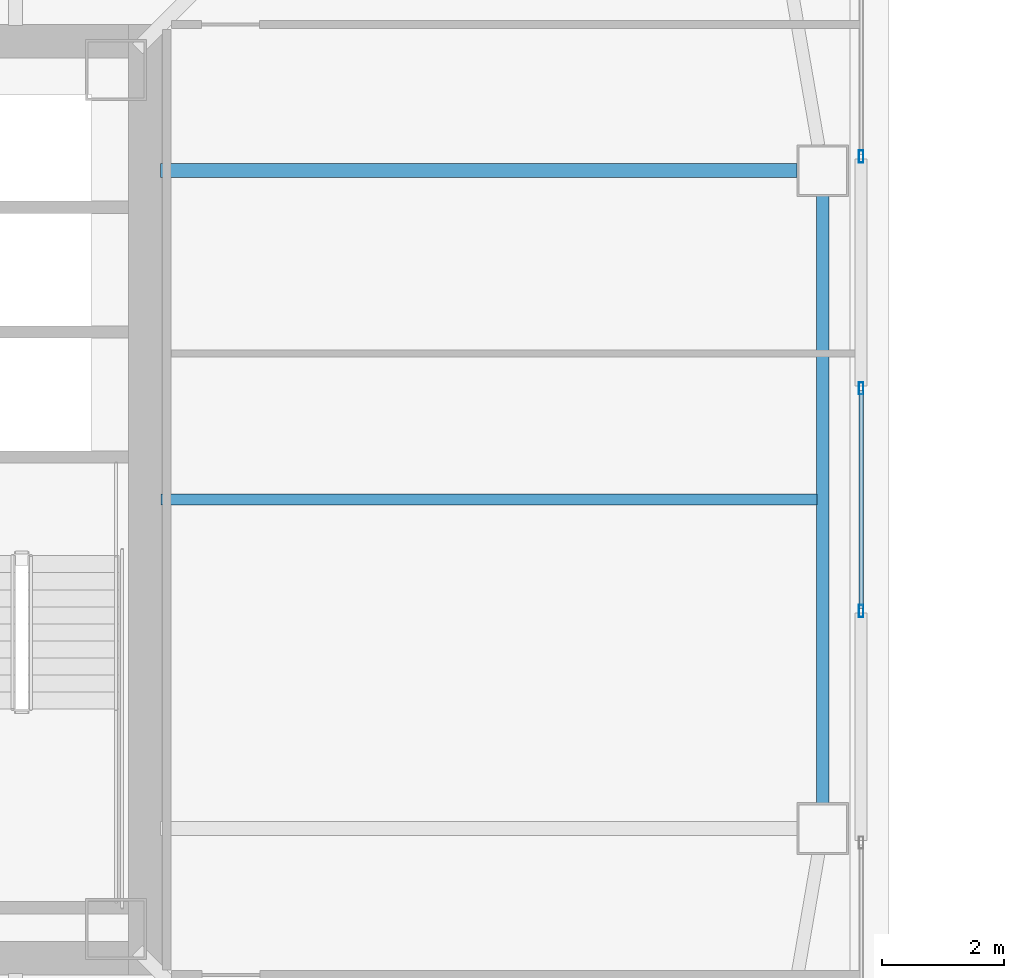
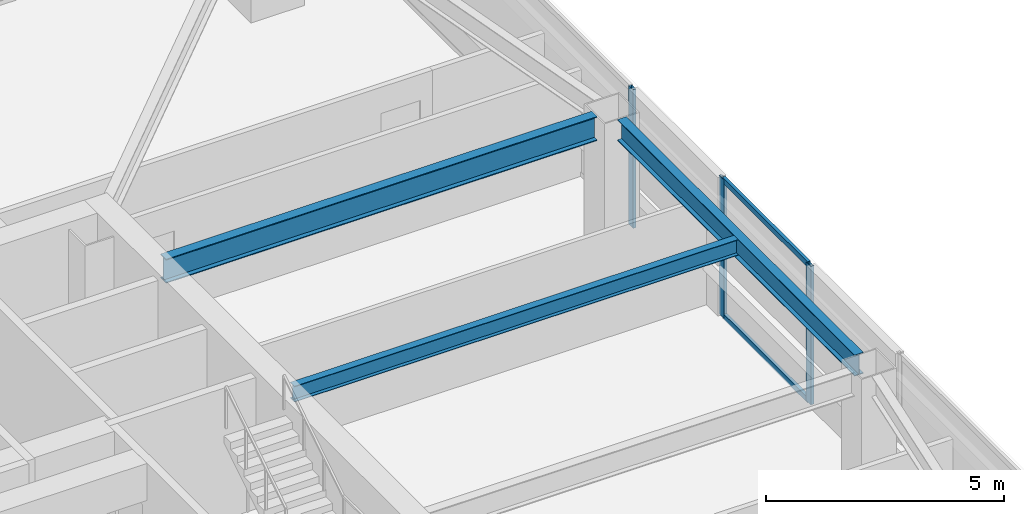
# One storey, part 10 of 42: 5 members, 3 beams, 2 elements without a shape of their own.
"""IFC4 building model written with IfcOpenShell, lengths in metres."""

from ifc_helpers import new_model, si_unit, direction, frame, origin, origin_2d, place, context, subcontext, project, spatial, hollow_rectangle, i_section, extrude, material, material_profile, profile_set, type_object, element, aggregate, save


model = new_model("IFC4")

# Units and contexts
model_context = context("Model", 3, precision=1e-05, world=origin(), true_north=direction((0.0, 1.0)))
body_context = subcontext(model_context, "Body", "Model", "MODEL_VIEW")
ifc_project = project(units=[si_unit("LENGTHUNIT", "METRE"), si_unit("AREAUNIT", "SQUARE_METRE"), si_unit("VOLUMEUNIT", "CUBIC_METRE"), si_unit("PLANEANGLEUNIT", "RADIAN"), si_unit("MASSUNIT", "GRAM", prefix="KILO")], contexts=[model_context])

# Site, building, storey
site_placement = place(None, origin())
site = spatial("IfcSite", under=ifc_project, at=site_placement, CompositionType="ELEMENT")
building_placement = place(site_placement, origin())
building = spatial("IfcBuilding", under=site, at=building_placement, Name="Tashvorn Skyway Center", CompositionType="ELEMENT")
storey_placement = place(building_placement, frame((0.0, 0.0, 121.5)))
storey = spatial("IfcBuildingStorey", under=building, at=storey_placement, Name="L32", CompositionType="ELEMENT", Elevation=121.5)

# Beams
ifc_material_1 = material(Name="Steel ASTM A992 Grade 50", Category="steel")
ifc_material_profile_1 = material_profile(ifc_material_1, i_section(OverallWidth=0.22998046875, OverallDepth=0.616943359375, WebThickness=0.01318359375, FlangeThickness=0.022216796875, at=origin_2d()), Name="W24X94")
ifc_profile_set_1 = profile_set([ifc_material_profile_1], Name="Steel ASTM A992 Grade 50")
beam_type_1 = type_object("IfcBeamType", Name="BM-BEAM-W24X94", PredefinedType="BEAM", material=ifc_profile_set_1)
beam_1_placement = place(storey_placement, frame((60.22998046875, 37.39990234375, 3.0615234375), z_axis=(-1.0, 0.0, 0.0), x_axis=(0.0, -1.0, 0.0)))
element("IfcBeam", 1, at=beam_1_placement, inside=storey, type_object=beam_type_1, Name="Tower 1 L32 Primary Floor Girder FC-E2", PredefinedType="BEAM", context=body_context, shape_type="SweptSolid", body=[
    extrude(i_section(OverallWidth=0.22998046875, OverallDepth=0.616943359375, WebThickness=0.01318359375, FlangeThickness=0.022216796875, at=origin_2d()), origin(), (0.0, 0.0, 1.0), 10.449951171875),
])
ifc_material_profile_2 = material_profile(ifc_material_1, i_section(OverallWidth=0.177978515625, OverallDepth=0.406005859375, WebThickness=0.0078125, FlangeThickness=0.0126953125, at=origin_2d()), Name="W16X40")
ifc_profile_set_2 = profile_set([ifc_material_profile_2], Name="Steel ASTM A992 Grade 50")
beam_type_2 = type_object("IfcBeamType", Name="BM-JOIST-W16X40", PredefinedType="JOIST", material=ifc_profile_set_2)
beam_2_placement = place(storey_placement, frame((49.7900390625, 32.0, 3.1669921875), z_axis=(1.0, 0.0, 0.0), x_axis=(0.0, 1.0, 0.0)))
element("IfcBeam", 2, at=beam_2_placement, inside=storey, type_object=beam_type_2, Name="Tower 1 L32 Secondary Composite Joist JE", PredefinedType="JOIST", context=body_context, shape_type="SweptSolid", body=[
    extrude(i_section(OverallWidth=0.177978515625, OverallDepth=0.406005859375, WebThickness=0.0078125, FlangeThickness=0.0126953125, at=origin_2d()), origin(), (0.0, 0.0, 1.0), 10.762451171875),
])
ifc_material_profile_3 = material_profile(ifc_material_1, i_section(OverallWidth=0.2109375, OverallDepth=0.5390625, WebThickness=0.01171875, FlangeThickness=0.018798828125, at=origin_2d()), Name="W21X73")
ifc_profile_set_3 = profile_set([ifc_material_profile_3], Name="Steel ASTM A992 Grade 50")
beam_type_3 = type_object("IfcBeamType", Name="BM-SPANDREL-W21X73", PredefinedType="SPANDREL", material=ifc_profile_set_3)
beam_3_placement = place(storey_placement, frame((60.64990234375, 27.02001953125, 3.1005859375), z_axis=(0.0, 1.0, 0.0), x_axis=(-1.0, 0.0, 0.0)))
element("IfcBeam", 3, at=beam_3_placement, inside=storey, type_object=beam_type_3, Name="Tower 1 L32 Spandrel Beam 05", PredefinedType="SPANDREL", context=body_context, shape_type="SweptSolid", body=[
    extrude(i_section(OverallWidth=0.2109375, OverallDepth=0.5390625, WebThickness=0.01171875, FlangeThickness=0.018798828125, at=origin_2d()), origin(), (0.0, 0.0, 1.0), 9.9599609375),
])

# Curtain wall, member
ifc_material_2 = material(Name="Thermally broken bronze-anodized aluminium 6063-T6", Category="aluminium")
curtain_wall_type = type_object("IfcCurtainWallType", Name="CW-CW-Z3", PredefinedType="NOTDEFINED", material=ifc_material_2)
curtain_wall_1_placement = place(storey_placement, origin())
curtain_wall_1 = element("IfcCurtainWall", 4, at=curtain_wall_1_placement, inside=storey, type_object=curtain_wall_type, Name="Tower 1 L32 East Unitised Curtain Wall Glazing Group 1", PredefinedType="NOTDEFINED")
ifc_material_profile_4 = material_profile(ifc_material_2, hollow_rectangle(XDim=0.074951171875, YDim=0.199951171875, WallThickness=0.00439453125, at=origin_2d()), Name="ALU-MULL-75x200")
ifc_profile_set_4 = profile_set([ifc_material_profile_4], Name="Thermally broken bronze-anodized aluminium 6063-T6")
member_type_1 = type_object("IfcMemberType", Name="CWM-CW-Z3", PredefinedType="MULLION", material=ifc_profile_set_4)
member_1_placement = place(storey_placement, frame((61.280029296875, 37.630859375, 0.0), z_axis=(0.0, 0.0, 1.0), x_axis=(1.0, 0.0, 0.0)))
member_1 = element("IfcMember", 5, at=member_1_placement, type_object=member_type_1, Name="CW-Z3 mullion 2", PredefinedType="MULLION", context=body_context, shape_type="SweptSolid", body=[
    extrude(hollow_rectangle(XDim=0.074951171875, YDim=0.199951171875, WallThickness=0.00439453125, at=origin_2d()), origin(), (0.0, 0.0, 1.0), 3.550048828125),
])
aggregate(curtain_wall_1, [member_1])

# Curtain wall, members
curtain_wall_2_placement = place(storey_placement, origin())
curtain_wall_2 = element("IfcCurtainWall", 6, at=curtain_wall_2_placement, inside=storey, type_object=curtain_wall_type, Name="Tower 1 L32 East Unitised Curtain Wall Glazing Group 2", PredefinedType="NOTDEFINED")
member_2_placement = place(storey_placement, frame((61.280029296875, 33.826904296875, 0.0), z_axis=(0.0, 0.0, 1.0), x_axis=(1.0, 0.0, 0.0)))
member_2 = element("IfcMember", 7, at=member_2_placement, type_object=member_type_1, Name="CW-Z3 mullion 1", PredefinedType="MULLION", context=body_context, shape_type="SweptSolid", body=[
    extrude(hollow_rectangle(XDim=0.074951171875, YDim=0.199951171875, WallThickness=0.00439453125, at=origin_2d()), origin(), (0.0, 0.0, 1.0), 3.550048828125),
])
member_3_placement = place(storey_placement, frame((61.280029296875, 30.173095703125, 0.0), z_axis=(0.0, 0.0, 1.0), x_axis=(1.0, 0.0, 0.0)))
member_3 = element("IfcMember", 8, at=member_3_placement, type_object=member_type_1, Name="CW-Z3 mullion 2", PredefinedType="MULLION", context=body_context, shape_type="SweptSolid", body=[
    extrude(hollow_rectangle(XDim=0.074951171875, YDim=0.199951171875, WallThickness=0.00439453125, at=origin_2d()), origin(), (0.0, 0.0, 1.0), 3.550048828125),
])
ifc_material_profile_5 = material_profile(ifc_material_2, hollow_rectangle(XDim=0.074951171875, YDim=0.139892578125, WallThickness=0.004150390625, at=origin_2d()), Name="ALU-TRAN-75x140")
ifc_profile_set_5 = profile_set([ifc_material_profile_5], Name="Thermally broken bronze-anodized aluminium 6063-T6")
member_type_2 = type_object("IfcMemberType", Name="CWT-CW-Z3", PredefinedType="USERDEFINED", material=ifc_profile_set_5)
member_4_placement = place(storey_placement, frame((61.280029296875, 33.789306640625, 0.03759765625), z_axis=(0.0, -1.0, 0.0), x_axis=(1.0, 0.0, 0.0)))
member_4 = element("IfcMember", 9, at=member_4_placement, type_object=member_type_2, Name="CW-Z3 transom 1.1", ObjectType="TRANSOM", PredefinedType="USERDEFINED", context=body_context, shape_type="SweptSolid", body=[
    extrude(hollow_rectangle(XDim=0.074951171875, YDim=0.139892578125, WallThickness=0.004150390625, at=origin_2d()), origin(), (0.0, 0.0, 1.0), 3.57861328125),
])
member_5_placement = place(storey_placement, frame((61.280029296875, 33.789306640625, 3.512451171875), z_axis=(0.0, -1.0, 0.0), x_axis=(1.0, 0.0, 0.0)))
member_5 = element("IfcMember", 10, at=member_5_placement, type_object=member_type_2, Name="CW-Z3 transom 1.2", ObjectType="TRANSOM", PredefinedType="USERDEFINED", context=body_context, shape_type="SweptSolid", body=[
    extrude(hollow_rectangle(XDim=0.074951171875, YDim=0.139892578125, WallThickness=0.004150390625, at=origin_2d()), origin(), (0.0, 0.0, 1.0), 3.57861328125),
])
aggregate(curtain_wall_2, [member_2, member_3, member_4, member_5])

save(model, "model.ifc")
